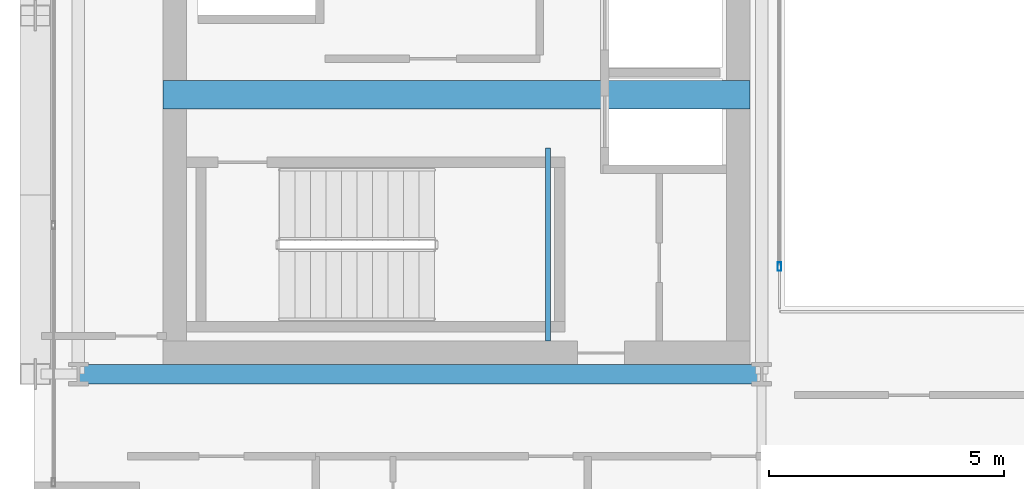
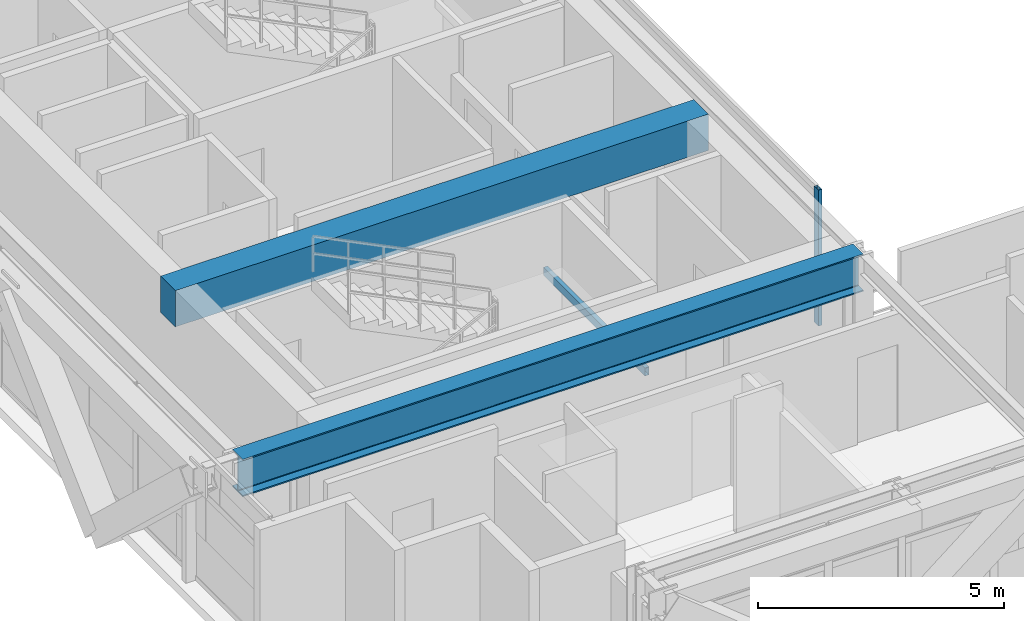
# One storey, part 5 of 37: 3 beams, 1 member, 1 element without a shape of its own.
"""IFC4 building model written with IfcOpenShell, lengths in metres."""

from ifc_helpers import new_model, si_unit, direction, frame, origin, origin_2d, place, context, subcontext, project, spatial, rectangle, hollow_rectangle, i_section, extrude, source, transform, mapped, material, layer, layer_set, material_profile, profile_set, type_object, element, aggregate, save


model = new_model("IFC4")

# Units and contexts
model_context = context("Model", 3, precision=1e-05, world=origin(), true_north=direction((0.0, 1.0)))
body_context = subcontext(model_context, "Body", "Model", "MODEL_VIEW")
ifc_project = project(units=[si_unit("LENGTHUNIT", "METRE"), si_unit("AREAUNIT", "SQUARE_METRE"), si_unit("VOLUMEUNIT", "CUBIC_METRE"), si_unit("PLANEANGLEUNIT", "RADIAN"), si_unit("MASSUNIT", "GRAM", prefix="KILO")], contexts=[model_context])

# Site, building, storey
site_placement = place(None, origin())
site = spatial("IfcSite", under=ifc_project, at=site_placement, CompositionType="ELEMENT")
building_placement = place(site_placement, origin())
building = spatial("IfcBuilding", under=site, at=building_placement, Name="Ocotamira Hotel", CompositionType="ELEMENT")
storey_placement = place(building_placement, frame((0.0, 0.0, 192.0)))
storey = spatial("IfcBuildingStorey", under=building, at=storey_placement, Name="L48", CompositionType="ELEMENT", Elevation=192.0)

# Beams
ifc_material_1 = material(Name="Concrete C50/60", Category="concrete")
ifc_material_profile_1 = material_profile(ifc_material_1, rectangle(XDim=0.60009765625, YDim=0.89990234375, at=origin_2d()), Name="RC600X900")
ifc_profile_set_1 = profile_set([ifc_material_profile_1], Name="Concrete C50/60")
beam_type_1 = type_object("IfcBeamType", Name="BM-LINK-RC600", PredefinedType="LINTEL", material=ifc_profile_set_1)
shared_shape_1 = source(origin(), body_context, "Body", "SweptSolid", [
    extrude(rectangle(XDim=0.60009765625, YDim=0.89990234375, at=origin_2d()), origin(), (0.0, 0.0, 1.0), 12.5),
])
beam_1_placement = place(storey_placement, frame((10.75, 20.5, 2.919921875), z_axis=(1.0, 0.0, 0.0), x_axis=(0.0, 1.0, 0.0)))
element("IfcBeam", 1, at=beam_1_placement, inside=storey, type_object=beam_type_1, Name="L48 West Core Coupling Beam", PredefinedType="LINTEL", context=body_context, shape_type="MappedRepresentation", body=[
    mapped(shared_shape_1, transform((0.0, 0.0, 0.0), scale=1.0)),
])
ifc_material_2 = material(Name="Steel ASTM A500 Grade C", Category="steel")
ifc_material_profile_2 = material_profile(ifc_material_2, hollow_rectangle(XDim=0.10009765625, YDim=0.199951171875, WallThickness=0.008056640625, at=origin_2d()), Name="HSS200X100X8")
ifc_profile_set_2 = profile_set([ifc_material_profile_2], Name="Steel ASTM A500 Grade C")
beam_type_2 = type_object("IfcBeamType", Name="BM-STLDG-HSS200", PredefinedType="BEAM", material=ifc_profile_set_2)
shared_shape_2 = source(origin(), body_context, "Body", "SweptSolid", [
    extrude(hollow_rectangle(XDim=0.10009765625, YDim=0.199951171875, WallThickness=0.008056640625, at=origin_2d()), origin(), (0.0, 0.0, 1.0), 4.1201171875),
])
beam_2_placement = place(storey_placement, frame((18.949951171875, 15.25, 1.5), z_axis=(0.0, 1.0, 0.0), x_axis=(-1.0, 0.0, 0.0)))
element("IfcBeam", 2, at=beam_2_placement, inside=storey, type_object=beam_type_2, Name="L48 Stair ST-1 Landing Bearer 1", PredefinedType="BEAM", context=body_context, shape_type="MappedRepresentation", body=[
    mapped(shared_shape_2, transform((0.0, 0.0, 0.0), scale=1.0)),
])
ifc_material_3 = material(Name="Steel ASTM A992 Grade 50", Category="steel")
ifc_material_profile_3 = material_profile(ifc_material_3, i_section(OverallWidth=0.41796875, OverallDepth=0.927001953125, WebThickness=0.019287109375, FlangeThickness=0.031982421875, FilletRadius=0.02392578125, at=origin_2d()), Name="W36X231")
ifc_profile_set_3 = profile_set([ifc_material_profile_3], Name="Steel ASTM A992 Grade 50")
beam_type_3 = type_object("IfcBeamType", Name="BM-GIRD-W36X231", PredefinedType="BEAM", material=ifc_profile_set_3)
shared_shape_3 = source(origin(), body_context, "Body", "SweptSolid", [
    extrude(i_section(OverallWidth=0.41796875, OverallDepth=0.927001953125, WebThickness=0.019287109375, FlangeThickness=0.031982421875, FilletRadius=0.02392578125, at=origin_2d()), origin(), (0.0, 0.0, 1.0), 14.550048828125),
])
beam_3_placement = place(storey_placement, frame((8.949951171875, 14.550048828125, 2.906494140625), z_axis=(1.0, 0.0, 0.0), x_axis=(0.0, 1.0, 0.0)))
element("IfcBeam", 3, at=beam_3_placement, inside=storey, type_object=beam_type_3, Name="L48 Girder Y14.55 X8.95-23.5", PredefinedType="BEAM", context=body_context, shape_type="MappedRepresentation", body=[
    mapped(shared_shape_3, transform((0.0, 0.0, 0.0), scale=1.0)),
])

# Curtain wall, member
ifc_material_4 = material(Name="Anodised pale-metal aluminium and solar glass", Category="aluminium")
ifc_layer = layer(ifc_material_4, 0.159912109375)
ifc_layer_set = layer_set([ifc_layer], Name="Anodised pale-metal aluminium and solar glass")
curtain_wall_type = type_object("IfcCurtainWallType", Name="CW-SYS6-ATR", PredefinedType="NOTDEFINED", material=ifc_layer_set)
curtain_wall_placement = place(storey_placement, origin())
curtain_wall = element("IfcCurtainWall", 4, at=curtain_wall_placement, inside=storey, type_object=curtain_wall_type, Name="L48 Curtain Wall CW-6 CW-L48-ATRW1", PredefinedType="NOTDEFINED")
ifc_material_5 = material(Name="Anodised pale-metal aluminium 6063-T6", Category="aluminium")
ifc_material_profile_4 = material_profile(ifc_material_5, hollow_rectangle(XDim=0.080078125, YDim=0.179931640625, WallThickness=0.006103515625, at=origin_2d()), Name="HSS180X80X6")
ifc_profile_set_4 = profile_set([ifc_material_profile_4], Name="Anodised pale-metal aluminium 6063-T6")
member_type = type_object("IfcMemberType", Name="CWM-180X75", PredefinedType="MULLION", material=ifc_profile_set_4)
shared_shape_4 = source(origin(), body_context, "Body", "SweptSolid", [
    extrude(hollow_rectangle(XDim=0.080078125, YDim=0.179931640625, WallThickness=0.006103515625, at=origin_2d()), origin(), (0.0, 0.0, 1.0), 3.3701171875),
])
member_placement = place(storey_placement, frame((23.8798828125, 16.840087890625, 0.0), z_axis=(0.0, 0.0, 1.0), x_axis=(-1.0, 0.0, 0.0)))
member = element("IfcMember", 5, at=member_placement, type_object=member_type, Name="CW-6 mullion 1", PredefinedType="MULLION", context=body_context, shape_type="MappedRepresentation", body=[
    mapped(shared_shape_4, transform((0.0, 0.0, 0.0), scale=1.0)),
])
aggregate(curtain_wall, [member])

save(model, "model.ifc")
